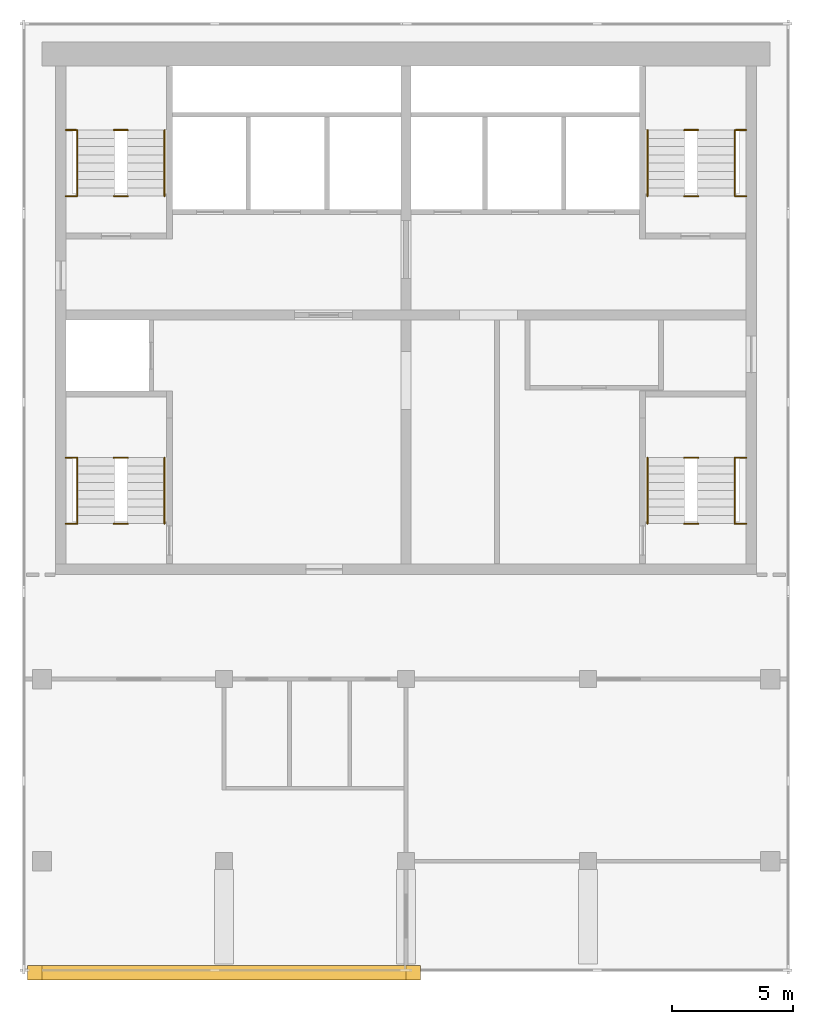
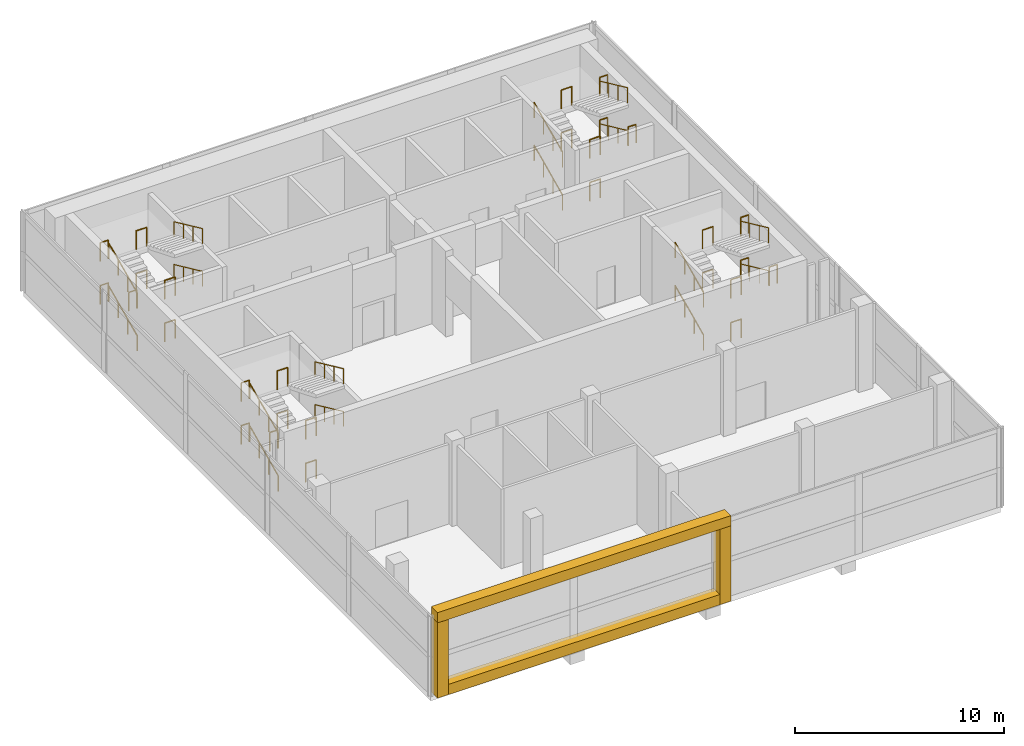
# One storey, part 6 of 6: 44 railings, 4 coverings.
"""IFC4 building model written with IfcOpenShell, lengths in metres."""

from ifc_helpers import new_model, si_unit, direction, frame, origin, origin_2d, place, context, subcontext, project, spatial, polyline, circle, outline, extrude, material, layer, layer_set, type_object, element, save


model = new_model("IFC4")

# Units and contexts
model_context = context("Model", 3, precision=1e-05, world=origin(), true_north=direction((0.0, 1.0)))
body_context = subcontext(model_context, "Body", "Model", "MODEL_VIEW")
ifc_project = project(units=[si_unit("LENGTHUNIT", "METRE"), si_unit("AREAUNIT", "SQUARE_METRE"), si_unit("VOLUMEUNIT", "CUBIC_METRE"), si_unit("PLANEANGLEUNIT", "RADIAN"), si_unit("MASSUNIT", "GRAM", prefix="KILO")], contexts=[model_context])

# Site, building, storey
site_placement = place(None, origin())
site = spatial("IfcSite", under=ifc_project, at=site_placement, CompositionType="ELEMENT")
building_placement = place(site_placement, origin())
building = spatial("IfcBuilding", under=site, at=building_placement, Name="Pilkhan Gate Tower", CompositionType="ELEMENT")
storey_placement = place(building_placement, frame((0.0, 0.0, 287.699951171875)))
storey = spatial("IfcBuildingStorey", under=building, at=storey_placement, Name="L75", CompositionType="ELEMENT", Elevation=287.699951171875)

# Coverings
ifc_material_1 = material(Name="Board-marked Concrete C40/50", Category="concrete")
ifc_layer = layer(ifc_material_1, 0.60009765625)
ifc_layer_set = layer_set([ifc_layer], Name="Lookout frame LF600")
covering_type = type_object("IfcCoveringType", Name="Lookout frame LF600", PredefinedType="CLADDING", material=ifc_layer_set)
covering_1_placement = place(storey_placement, origin())
element("IfcCovering", 1, at=covering_1_placement, inside=storey, type_object=covering_type, Name="Lookout frame", PredefinedType="CLADDING", context=body_context, shape_type="SweptSolid", body=[
    extrude(outline(polyline([(59.39990234375, 55.10009765625), (60.0, 55.10009765625), (60.0, 55.699951171875), (59.39990234375, 55.699951171875), (59.39990234375, 55.10009765625)])), origin(), (0.0, 0.0, 1.0), 4.400146484375),
])
covering_2_placement = place(storey_placement, origin())
element("IfcCovering", 2, at=covering_2_placement, inside=storey, type_object=covering_type, Name="Lookout frame", PredefinedType="CLADDING", context=body_context, shape_type="SweptSolid", body=[
    extrude(outline(polyline([(75.0, 55.10009765625), (75.60009765625, 55.10009765625), (75.60009765625, 55.699951171875), (75.0, 55.699951171875), (75.0, 55.10009765625)])), origin(), (0.0, 0.0, 1.0), 4.400146484375),
])
covering_3_placement = place(storey_placement, frame((0.0, 0.0, 4.400146484375)))
element("IfcCovering", 3, at=covering_3_placement, inside=storey, type_object=covering_type, Name="Lookout frame", PredefinedType="CLADDING", context=body_context, shape_type="SweptSolid", body=[
    extrude(outline(polyline([(59.39990234375, 55.10009765625), (75.60009765625, 55.10009765625), (75.60009765625, 55.699951171875), (59.39990234375, 55.699951171875), (59.39990234375, 55.10009765625)])), origin(), (0.0, 0.0, 1.0), 0.599853515625),
])
covering_4_placement = place(storey_placement, origin())
element("IfcCovering", 4, at=covering_4_placement, inside=storey, type_object=covering_type, Name="Lookout frame", PredefinedType="CLADDING", context=body_context, shape_type="SweptSolid", body=[
    extrude(outline(polyline([(60.0, 55.10009765625), (75.0, 55.10009765625), (75.0, 55.699951171875), (60.0, 55.699951171875), (60.0, 55.10009765625)])), origin(), (0.0, 0.0, 1.0), 0.60009765625),
])

# Railings
ifc_material_2 = material(Name="Black powder-coated steel tube", Category="steel")
railing_type_1 = type_object("IfcRailingType", Name="Stair handrail HR1", PredefinedType="HANDRAIL", material=ifc_material_2)
railing_1_placement = place(storey_placement, frame((84.949951171875, 73.89990234375, 0.0)))
element("IfcRailing", 5, at=railing_1_placement, inside=storey, type_object=railing_type_1, Name="Stair ST1 handrail L75", PredefinedType="HANDRAIL", context=body_context, shape_type="SweptSolid", body=[
    extrude(circle(Radius=0.02392578125, at=origin_2d()), frame((0.0, 0.0, 0.8759765625), z_axis=(0.0, 0.908655102025, 0.417547488994), x_axis=(-1.0, 0.0, 0.0)), (0.0, 0.0, 1.0), 2.99365234375),
    extrude(circle(Radius=0.02099609375, at=origin_2d()), origin(), (0.0, 0.0, 1.0), 0.851806640625),
    extrude(circle(Radius=0.02099609375, at=origin_2d()), frame((0.0, 0.90673828125, 0.416748046875)), (0.0, 0.0, 1.0), 0.851806640625),
    extrude(circle(Radius=0.02099609375, at=origin_2d()), frame((0.0, 1.8134765625, 0.833251953125)), (0.0, 0.0, 1.0), 0.851806640625),
    extrude(circle(Radius=0.02099609375, at=origin_2d()), frame((0.0, 2.72021484375, 1.25)), (0.0, 0.0, 1.0), 0.851806640625),
])
railing_2_placement = place(storey_placement, frame((88.550048828125, 76.6201171875, 1.25)))
element("IfcRailing", 6, at=railing_2_placement, inside=storey, type_object=railing_type_1, Name="Stair ST1 handrail L75", PredefinedType="HANDRAIL", context=body_context, shape_type="SweptSolid", body=[
    extrude(circle(Radius=0.02392578125, at=origin_2d()), frame((0.0, 0.0, 0.8759765625), z_axis=(0.0, -0.908655102025, 0.417547488994), x_axis=(1.0, 0.0, 0.0)), (0.0, 0.0, 1.0), 2.99365234375),
    extrude(circle(Radius=0.02099609375, at=origin_2d()), origin(), (0.0, 0.0, 1.0), 0.851806640625),
    extrude(circle(Radius=0.02099609375, at=origin_2d()), frame((0.0, -0.90673828125, 0.416748046875)), (0.0, 0.0, 1.0), 0.851806640625),
    extrude(circle(Radius=0.02099609375, at=origin_2d()), frame((0.0, -1.8134765625, 0.833251953125)), (0.0, 0.0, 1.0), 0.851806640625),
    extrude(circle(Radius=0.02099609375, at=origin_2d()), frame((0.0, -2.72021484375, 1.25)), (0.0, 0.0, 1.0), 0.851806640625),
])
railing_3_placement = place(storey_placement, frame((84.949951171875, 73.89990234375, 2.5)))
element("IfcRailing", 7, at=railing_3_placement, inside=storey, type_object=railing_type_1, Name="Stair ST1 handrail L75", PredefinedType="HANDRAIL", context=body_context, shape_type="SweptSolid", body=[
    extrude(circle(Radius=0.02392578125, at=origin_2d()), frame((0.0, 0.0, 0.8759765625), z_axis=(0.0, 0.908655102025, 0.417547488994), x_axis=(-1.0, 0.0, 0.0)), (0.0, 0.0, 1.0), 2.99365234375),
    extrude(circle(Radius=0.02099609375, at=origin_2d()), origin(), (0.0, 0.0, 1.0), 0.851806640625),
    extrude(circle(Radius=0.02099609375, at=origin_2d()), frame((0.0, 0.90673828125, 0.416748046875)), (0.0, 0.0, 1.0), 0.851806640625),
    extrude(circle(Radius=0.02099609375, at=origin_2d()), frame((0.0, 1.8134765625, 0.833251953125)), (0.0, 0.0, 1.0), 0.851806640625),
    extrude(circle(Radius=0.02099609375, at=origin_2d()), frame((0.0, 2.72021484375, 1.25)), (0.0, 0.0, 1.0), 0.851806640625),
])
railing_4_placement = place(storey_placement, frame((88.550048828125, 76.6201171875, 3.75)))
element("IfcRailing", 8, at=railing_4_placement, inside=storey, type_object=railing_type_1, Name="Stair ST1 handrail L75", PredefinedType="HANDRAIL", context=body_context, shape_type="SweptSolid", body=[
    extrude(circle(Radius=0.02392578125, at=origin_2d()), frame((0.0, 0.0, 0.8759765625), z_axis=(0.0, -0.908655102025, 0.417547488994), x_axis=(1.0, 0.0, 0.0)), (0.0, 0.0, 1.0), 2.99365234375),
    extrude(circle(Radius=0.02099609375, at=origin_2d()), origin(), (0.0, 0.0, 1.0), 0.851806640625),
    extrude(circle(Radius=0.02099609375, at=origin_2d()), frame((0.0, -0.90673828125, 0.416748046875)), (0.0, 0.0, 1.0), 0.851806640625),
    extrude(circle(Radius=0.02099609375, at=origin_2d()), frame((0.0, -1.8134765625, 0.833251953125)), (0.0, 0.0, 1.0), 0.851806640625),
    extrude(circle(Radius=0.02099609375, at=origin_2d()), frame((0.0, -2.72021484375, 1.25)), (0.0, 0.0, 1.0), 0.851806640625),
])
railing_5_placement = place(storey_placement, frame((61.449951171875, 73.89990234375, 0.0)))
element("IfcRailing", 9, at=railing_5_placement, inside=storey, type_object=railing_type_1, Name="Stair ST2 handrail L75", PredefinedType="HANDRAIL", context=body_context, shape_type="SweptSolid", body=[
    extrude(circle(Radius=0.02392578125, at=origin_2d()), frame((0.0, 0.0, 0.8759765625), z_axis=(0.0, 0.908655102025, 0.417547488994), x_axis=(-1.0, 0.0, 0.0)), (0.0, 0.0, 1.0), 2.99365234375),
    extrude(circle(Radius=0.02099609375, at=origin_2d()), origin(), (0.0, 0.0, 1.0), 0.851806640625),
    extrude(circle(Radius=0.02099609375, at=origin_2d()), frame((0.0, 0.90673828125, 0.416748046875)), (0.0, 0.0, 1.0), 0.851806640625),
    extrude(circle(Radius=0.02099609375, at=origin_2d()), frame((0.0, 1.8134765625, 0.833251953125)), (0.0, 0.0, 1.0), 0.851806640625),
    extrude(circle(Radius=0.02099609375, at=origin_2d()), frame((0.0, 2.72021484375, 1.25)), (0.0, 0.0, 1.0), 0.851806640625),
])
railing_6_placement = place(storey_placement, frame((65.050048828125, 76.6201171875, 1.25)))
element("IfcRailing", 10, at=railing_6_placement, inside=storey, type_object=railing_type_1, Name="Stair ST2 handrail L75", PredefinedType="HANDRAIL", context=body_context, shape_type="SweptSolid", body=[
    extrude(circle(Radius=0.02392578125, at=origin_2d()), frame((0.0, 0.0, 0.8759765625), z_axis=(0.0, -0.908655102025, 0.417547488994), x_axis=(1.0, 0.0, 0.0)), (0.0, 0.0, 1.0), 2.99365234375),
    extrude(circle(Radius=0.02099609375, at=origin_2d()), origin(), (0.0, 0.0, 1.0), 0.851806640625),
    extrude(circle(Radius=0.02099609375, at=origin_2d()), frame((0.0, -0.90673828125, 0.416748046875)), (0.0, 0.0, 1.0), 0.851806640625),
    extrude(circle(Radius=0.02099609375, at=origin_2d()), frame((0.0, -1.8134765625, 0.833251953125)), (0.0, 0.0, 1.0), 0.851806640625),
    extrude(circle(Radius=0.02099609375, at=origin_2d()), frame((0.0, -2.72021484375, 1.25)), (0.0, 0.0, 1.0), 0.851806640625),
])
railing_7_placement = place(storey_placement, frame((61.449951171875, 73.89990234375, 2.5)))
element("IfcRailing", 11, at=railing_7_placement, inside=storey, type_object=railing_type_1, Name="Stair ST2 handrail L75", PredefinedType="HANDRAIL", context=body_context, shape_type="SweptSolid", body=[
    extrude(circle(Radius=0.02392578125, at=origin_2d()), frame((0.0, 0.0, 0.8759765625), z_axis=(0.0, 0.908655102025, 0.417547488994), x_axis=(-1.0, 0.0, 0.0)), (0.0, 0.0, 1.0), 2.99365234375),
    extrude(circle(Radius=0.02099609375, at=origin_2d()), origin(), (0.0, 0.0, 1.0), 0.851806640625),
    extrude(circle(Radius=0.02099609375, at=origin_2d()), frame((0.0, 0.90673828125, 0.416748046875)), (0.0, 0.0, 1.0), 0.851806640625),
    extrude(circle(Radius=0.02099609375, at=origin_2d()), frame((0.0, 1.8134765625, 0.833251953125)), (0.0, 0.0, 1.0), 0.851806640625),
    extrude(circle(Radius=0.02099609375, at=origin_2d()), frame((0.0, 2.72021484375, 1.25)), (0.0, 0.0, 1.0), 0.851806640625),
])
railing_8_placement = place(storey_placement, frame((65.050048828125, 76.6201171875, 3.75)))
element("IfcRailing", 12, at=railing_8_placement, inside=storey, type_object=railing_type_1, Name="Stair ST2 handrail L75", PredefinedType="HANDRAIL", context=body_context, shape_type="SweptSolid", body=[
    extrude(circle(Radius=0.02392578125, at=origin_2d()), frame((0.0, 0.0, 0.8759765625), z_axis=(0.0, -0.908655102025, 0.417547488994), x_axis=(1.0, 0.0, 0.0)), (0.0, 0.0, 1.0), 2.99365234375),
    extrude(circle(Radius=0.02099609375, at=origin_2d()), origin(), (0.0, 0.0, 1.0), 0.851806640625),
    extrude(circle(Radius=0.02099609375, at=origin_2d()), frame((0.0, -0.90673828125, 0.416748046875)), (0.0, 0.0, 1.0), 0.851806640625),
    extrude(circle(Radius=0.02099609375, at=origin_2d()), frame((0.0, -1.8134765625, 0.833251953125)), (0.0, 0.0, 1.0), 0.851806640625),
    extrude(circle(Radius=0.02099609375, at=origin_2d()), frame((0.0, -2.72021484375, 1.25)), (0.0, 0.0, 1.0), 0.851806640625),
])
railing_9_placement = place(storey_placement, frame((61.449951171875, 87.39990234375, 0.0)))
element("IfcRailing", 13, at=railing_9_placement, inside=storey, type_object=railing_type_1, Name="Stair ST3 handrail L75", PredefinedType="HANDRAIL", context=body_context, shape_type="SweptSolid", body=[
    extrude(circle(Radius=0.02392578125, at=origin_2d()), frame((0.0, 0.0, 0.8759765625), z_axis=(0.0, 0.908655102025, 0.417547488994), x_axis=(-1.0, 0.0, 0.0)), (0.0, 0.0, 1.0), 2.99365234375),
    extrude(circle(Radius=0.02099609375, at=origin_2d()), origin(), (0.0, 0.0, 1.0), 0.851806640625),
    extrude(circle(Radius=0.02099609375, at=origin_2d()), frame((0.0, 0.90673828125, 0.416748046875)), (0.0, 0.0, 1.0), 0.851806640625),
    extrude(circle(Radius=0.02099609375, at=origin_2d()), frame((0.0, 1.8134765625, 0.833251953125)), (0.0, 0.0, 1.0), 0.851806640625),
    extrude(circle(Radius=0.02099609375, at=origin_2d()), frame((0.0, 2.72021484375, 1.25)), (0.0, 0.0, 1.0), 0.851806640625),
])
railing_10_placement = place(storey_placement, frame((65.050048828125, 90.1201171875, 1.25)))
element("IfcRailing", 14, at=railing_10_placement, inside=storey, type_object=railing_type_1, Name="Stair ST3 handrail L75", PredefinedType="HANDRAIL", context=body_context, shape_type="SweptSolid", body=[
    extrude(circle(Radius=0.02392578125, at=origin_2d()), frame((0.0, 0.0, 0.8759765625), z_axis=(0.0, -0.908655102025, 0.417547488994), x_axis=(1.0, 0.0, 0.0)), (0.0, 0.0, 1.0), 2.99365234375),
    extrude(circle(Radius=0.02099609375, at=origin_2d()), origin(), (0.0, 0.0, 1.0), 0.851806640625),
    extrude(circle(Radius=0.02099609375, at=origin_2d()), frame((0.0, -0.90673828125, 0.416748046875)), (0.0, 0.0, 1.0), 0.851806640625),
    extrude(circle(Radius=0.02099609375, at=origin_2d()), frame((0.0, -1.8134765625, 0.833251953125)), (0.0, 0.0, 1.0), 0.851806640625),
    extrude(circle(Radius=0.02099609375, at=origin_2d()), frame((0.0, -2.72021484375, 1.25)), (0.0, 0.0, 1.0), 0.851806640625),
])
railing_11_placement = place(storey_placement, frame((61.449951171875, 87.39990234375, 2.5)))
element("IfcRailing", 15, at=railing_11_placement, inside=storey, type_object=railing_type_1, Name="Stair ST3 handrail L75", PredefinedType="HANDRAIL", context=body_context, shape_type="SweptSolid", body=[
    extrude(circle(Radius=0.02392578125, at=origin_2d()), frame((0.0, 0.0, 0.8759765625), z_axis=(0.0, 0.908655102025, 0.417547488994), x_axis=(-1.0, 0.0, 0.0)), (0.0, 0.0, 1.0), 2.99365234375),
    extrude(circle(Radius=0.02099609375, at=origin_2d()), origin(), (0.0, 0.0, 1.0), 0.851806640625),
    extrude(circle(Radius=0.02099609375, at=origin_2d()), frame((0.0, 0.90673828125, 0.416748046875)), (0.0, 0.0, 1.0), 0.851806640625),
    extrude(circle(Radius=0.02099609375, at=origin_2d()), frame((0.0, 1.8134765625, 0.833251953125)), (0.0, 0.0, 1.0), 0.851806640625),
    extrude(circle(Radius=0.02099609375, at=origin_2d()), frame((0.0, 2.72021484375, 1.25)), (0.0, 0.0, 1.0), 0.851806640625),
])
railing_12_placement = place(storey_placement, frame((65.050048828125, 90.1201171875, 3.75)))
element("IfcRailing", 16, at=railing_12_placement, inside=storey, type_object=railing_type_1, Name="Stair ST3 handrail L75", PredefinedType="HANDRAIL", context=body_context, shape_type="SweptSolid", body=[
    extrude(circle(Radius=0.02392578125, at=origin_2d()), frame((0.0, 0.0, 0.8759765625), z_axis=(0.0, -0.908655102025, 0.417547488994), x_axis=(1.0, 0.0, 0.0)), (0.0, 0.0, 1.0), 2.99365234375),
    extrude(circle(Radius=0.02099609375, at=origin_2d()), origin(), (0.0, 0.0, 1.0), 0.851806640625),
    extrude(circle(Radius=0.02099609375, at=origin_2d()), frame((0.0, -0.90673828125, 0.416748046875)), (0.0, 0.0, 1.0), 0.851806640625),
    extrude(circle(Radius=0.02099609375, at=origin_2d()), frame((0.0, -1.8134765625, 0.833251953125)), (0.0, 0.0, 1.0), 0.851806640625),
    extrude(circle(Radius=0.02099609375, at=origin_2d()), frame((0.0, -2.72021484375, 1.25)), (0.0, 0.0, 1.0), 0.851806640625),
])
railing_13_placement = place(storey_placement, frame((84.949951171875, 87.39990234375, 0.0)))
element("IfcRailing", 17, at=railing_13_placement, inside=storey, type_object=railing_type_1, Name="Stair ST4 handrail L75", PredefinedType="HANDRAIL", context=body_context, shape_type="SweptSolid", body=[
    extrude(circle(Radius=0.02392578125, at=origin_2d()), frame((0.0, 0.0, 0.8759765625), z_axis=(0.0, 0.908655102025, 0.417547488994), x_axis=(-1.0, 0.0, 0.0)), (0.0, 0.0, 1.0), 2.99365234375),
    extrude(circle(Radius=0.02099609375, at=origin_2d()), origin(), (0.0, 0.0, 1.0), 0.851806640625),
    extrude(circle(Radius=0.02099609375, at=origin_2d()), frame((0.0, 0.90673828125, 0.416748046875)), (0.0, 0.0, 1.0), 0.851806640625),
    extrude(circle(Radius=0.02099609375, at=origin_2d()), frame((0.0, 1.8134765625, 0.833251953125)), (0.0, 0.0, 1.0), 0.851806640625),
    extrude(circle(Radius=0.02099609375, at=origin_2d()), frame((0.0, 2.72021484375, 1.25)), (0.0, 0.0, 1.0), 0.851806640625),
])
railing_14_placement = place(storey_placement, frame((88.550048828125, 90.1201171875, 1.25)))
element("IfcRailing", 18, at=railing_14_placement, inside=storey, type_object=railing_type_1, Name="Stair ST4 handrail L75", PredefinedType="HANDRAIL", context=body_context, shape_type="SweptSolid", body=[
    extrude(circle(Radius=0.02392578125, at=origin_2d()), frame((0.0, 0.0, 0.8759765625), z_axis=(0.0, -0.908655102025, 0.417547488994), x_axis=(1.0, 0.0, 0.0)), (0.0, 0.0, 1.0), 2.99365234375),
    extrude(circle(Radius=0.02099609375, at=origin_2d()), origin(), (0.0, 0.0, 1.0), 0.851806640625),
    extrude(circle(Radius=0.02099609375, at=origin_2d()), frame((0.0, -0.90673828125, 0.416748046875)), (0.0, 0.0, 1.0), 0.851806640625),
    extrude(circle(Radius=0.02099609375, at=origin_2d()), frame((0.0, -1.8134765625, 0.833251953125)), (0.0, 0.0, 1.0), 0.851806640625),
    extrude(circle(Radius=0.02099609375, at=origin_2d()), frame((0.0, -2.72021484375, 1.25)), (0.0, 0.0, 1.0), 0.851806640625),
])
railing_15_placement = place(storey_placement, frame((84.949951171875, 87.39990234375, 2.5)))
element("IfcRailing", 19, at=railing_15_placement, inside=storey, type_object=railing_type_1, Name="Stair ST4 handrail L75", PredefinedType="HANDRAIL", context=body_context, shape_type="SweptSolid", body=[
    extrude(circle(Radius=0.02392578125, at=origin_2d()), frame((0.0, 0.0, 0.8759765625), z_axis=(0.0, 0.908655102025, 0.417547488994), x_axis=(-1.0, 0.0, 0.0)), (0.0, 0.0, 1.0), 2.99365234375),
    extrude(circle(Radius=0.02099609375, at=origin_2d()), origin(), (0.0, 0.0, 1.0), 0.851806640625),
    extrude(circle(Radius=0.02099609375, at=origin_2d()), frame((0.0, 0.90673828125, 0.416748046875)), (0.0, 0.0, 1.0), 0.851806640625),
    extrude(circle(Radius=0.02099609375, at=origin_2d()), frame((0.0, 1.8134765625, 0.833251953125)), (0.0, 0.0, 1.0), 0.851806640625),
    extrude(circle(Radius=0.02099609375, at=origin_2d()), frame((0.0, 2.72021484375, 1.25)), (0.0, 0.0, 1.0), 0.851806640625),
])
railing_16_placement = place(storey_placement, frame((88.550048828125, 90.1201171875, 3.75)))
element("IfcRailing", 20, at=railing_16_placement, inside=storey, type_object=railing_type_1, Name="Stair ST4 handrail L75", PredefinedType="HANDRAIL", context=body_context, shape_type="SweptSolid", body=[
    extrude(circle(Radius=0.02392578125, at=origin_2d()), frame((0.0, 0.0, 0.8759765625), z_axis=(0.0, -0.908655102025, 0.417547488994), x_axis=(1.0, 0.0, 0.0)), (0.0, 0.0, 1.0), 2.99365234375),
    extrude(circle(Radius=0.02099609375, at=origin_2d()), origin(), (0.0, 0.0, 1.0), 0.851806640625),
    extrude(circle(Radius=0.02099609375, at=origin_2d()), frame((0.0, -0.90673828125, 0.416748046875)), (0.0, 0.0, 1.0), 0.851806640625),
    extrude(circle(Radius=0.02099609375, at=origin_2d()), frame((0.0, -1.8134765625, 0.833251953125)), (0.0, 0.0, 1.0), 0.851806640625),
    extrude(circle(Radius=0.02099609375, at=origin_2d()), frame((0.0, -2.72021484375, 1.25)), (0.0, 0.0, 1.0), 0.851806640625),
])
ifc_material_3 = material(Name="Black powder-coated steel balusters", Category="steel")
railing_type_2 = type_object("IfcRailingType", Name="Stair well guard G3", PredefinedType="GUARDRAIL", material=ifc_material_3)
for number, where, name in (
    (21, (88.580078125, 76.6201171875, 1.25), "Stair ST1 well guard L75"),
    (22, (88.580078125, 73.89990234375, 2.5), "Stair ST1 well guard L75"),
    (23, (88.580078125, 76.6201171875, 3.75), "Stair ST1 well guard L75"),
):
    element("IfcRailing", number, at=place(storey_placement, frame(where)), inside=storey, type_object=railing_type_2, Name=name, PredefinedType="GUARDRAIL", context=body_context, shape_type="SweptSolid", body=[
        extrude(circle(Radius=0.02392578125, at=origin_2d()), frame((0.0, 0.0, 1.076171875), z_axis=(1.0, 0.0, 0.0), x_axis=(0.0, 1.0, 0.0)), (0.0, 0.0, 1.0), 0.43994140625),
        extrude(circle(Radius=0.02099609375, at=origin_2d()), origin(), (0.0, 0.0, 1.0), 1.052001953125),
        extrude(circle(Radius=0.02099609375, at=origin_2d()), frame((0.43994140625, 0.0, 0.0)), (0.0, 0.0, 1.0), 1.052001953125),
    ])
for number, where, name in (
    (24, (86.4599609375, 73.89990234375, 0.0), "Stair ST1 well guard L75"),
    (25, (86.4599609375, 76.6201171875, 1.25), "Stair ST1 well guard L75"),
    (26, (86.4599609375, 73.89990234375, 2.5), "Stair ST1 well guard L75"),
    (27, (86.4599609375, 76.6201171875, 3.75), "Stair ST1 well guard L75"),
):
    element("IfcRailing", number, at=place(storey_placement, frame(where)), inside=storey, type_object=railing_type_2, Name=name, PredefinedType="GUARDRAIL", context=body_context, shape_type="SweptSolid", body=[
        extrude(circle(Radius=0.02392578125, at=origin_2d()), frame((0.0, 0.0, 1.076171875), z_axis=(1.0, 0.0, 0.0), x_axis=(0.0, 1.0, 0.0)), (0.0, 0.0, 1.0), 0.580078125),
        extrude(circle(Radius=0.02099609375, at=origin_2d()), origin(), (0.0, 0.0, 1.0), 1.052001953125),
        extrude(circle(Radius=0.02099609375, at=origin_2d()), frame((0.580078125, 0.0, 0.0)), (0.0, 0.0, 1.0), 1.052001953125),
    ])
for number, where, name in (
    (28, (60.97998046875, 76.6201171875, 1.25), "Stair ST2 well guard L75"),
    (29, (60.97998046875, 73.89990234375, 2.5), "Stair ST2 well guard L75"),
    (30, (60.97998046875, 76.6201171875, 3.75), "Stair ST2 well guard L75"),
):
    element("IfcRailing", number, at=place(storey_placement, frame(where)), inside=storey, type_object=railing_type_2, Name=name, PredefinedType="GUARDRAIL", context=body_context, shape_type="SweptSolid", body=[
        extrude(circle(Radius=0.02392578125, at=origin_2d()), frame((0.0, 0.0, 1.076171875), z_axis=(1.0, 0.0, 0.0), x_axis=(0.0, 1.0, 0.0)), (0.0, 0.0, 1.0), 0.43994140625),
        extrude(circle(Radius=0.02099609375, at=origin_2d()), origin(), (0.0, 0.0, 1.0), 1.052001953125),
        extrude(circle(Radius=0.02099609375, at=origin_2d()), frame((0.43994140625, 0.0, 0.0)), (0.0, 0.0, 1.0), 1.052001953125),
    ])
for number, where, name in (
    (31, (62.9599609375, 73.89990234375, 0.0), "Stair ST2 well guard L75"),
    (32, (62.9599609375, 76.6201171875, 1.25), "Stair ST2 well guard L75"),
    (33, (62.9599609375, 73.89990234375, 2.5), "Stair ST2 well guard L75"),
    (34, (62.9599609375, 76.6201171875, 3.75), "Stair ST2 well guard L75"),
):
    element("IfcRailing", number, at=place(storey_placement, frame(where)), inside=storey, type_object=railing_type_2, Name=name, PredefinedType="GUARDRAIL", context=body_context, shape_type="SweptSolid", body=[
        extrude(circle(Radius=0.02392578125, at=origin_2d()), frame((0.0, 0.0, 1.076171875), z_axis=(1.0, 0.0, 0.0), x_axis=(0.0, 1.0, 0.0)), (0.0, 0.0, 1.0), 0.580078125),
        extrude(circle(Radius=0.02099609375, at=origin_2d()), origin(), (0.0, 0.0, 1.0), 1.052001953125),
        extrude(circle(Radius=0.02099609375, at=origin_2d()), frame((0.580078125, 0.0, 0.0)), (0.0, 0.0, 1.0), 1.052001953125),
    ])
for number, where, name in (
    (35, (60.97998046875, 90.1201171875, 1.25), "Stair ST3 well guard L75"),
    (36, (60.97998046875, 87.39990234375, 2.5), "Stair ST3 well guard L75"),
    (37, (60.97998046875, 90.1201171875, 3.75), "Stair ST3 well guard L75"),
):
    element("IfcRailing", number, at=place(storey_placement, frame(where)), inside=storey, type_object=railing_type_2, Name=name, PredefinedType="GUARDRAIL", context=body_context, shape_type="SweptSolid", body=[
        extrude(circle(Radius=0.02392578125, at=origin_2d()), frame((0.0, 0.0, 1.076171875), z_axis=(1.0, 0.0, 0.0), x_axis=(0.0, 1.0, 0.0)), (0.0, 0.0, 1.0), 0.43994140625),
        extrude(circle(Radius=0.02099609375, at=origin_2d()), origin(), (0.0, 0.0, 1.0), 1.052001953125),
        extrude(circle(Radius=0.02099609375, at=origin_2d()), frame((0.43994140625, 0.0, 0.0)), (0.0, 0.0, 1.0), 1.052001953125),
    ])
for number, where, name in (
    (38, (62.9599609375, 87.39990234375, 0.0), "Stair ST3 well guard L75"),
    (39, (62.9599609375, 90.1201171875, 1.25), "Stair ST3 well guard L75"),
    (40, (62.9599609375, 87.39990234375, 2.5), "Stair ST3 well guard L75"),
    (41, (62.9599609375, 90.1201171875, 3.75), "Stair ST3 well guard L75"),
):
    element("IfcRailing", number, at=place(storey_placement, frame(where)), inside=storey, type_object=railing_type_2, Name=name, PredefinedType="GUARDRAIL", context=body_context, shape_type="SweptSolid", body=[
        extrude(circle(Radius=0.02392578125, at=origin_2d()), frame((0.0, 0.0, 1.076171875), z_axis=(1.0, 0.0, 0.0), x_axis=(0.0, 1.0, 0.0)), (0.0, 0.0, 1.0), 0.580078125),
        extrude(circle(Radius=0.02099609375, at=origin_2d()), origin(), (0.0, 0.0, 1.0), 1.052001953125),
        extrude(circle(Radius=0.02099609375, at=origin_2d()), frame((0.580078125, 0.0, 0.0)), (0.0, 0.0, 1.0), 1.052001953125),
    ])
for number, where, name in (
    (42, (88.580078125, 90.1201171875, 1.25), "Stair ST4 well guard L75"),
    (43, (88.580078125, 87.39990234375, 2.5), "Stair ST4 well guard L75"),
    (44, (88.580078125, 90.1201171875, 3.75), "Stair ST4 well guard L75"),
):
    element("IfcRailing", number, at=place(storey_placement, frame(where)), inside=storey, type_object=railing_type_2, Name=name, PredefinedType="GUARDRAIL", context=body_context, shape_type="SweptSolid", body=[
        extrude(circle(Radius=0.02392578125, at=origin_2d()), frame((0.0, 0.0, 1.076171875), z_axis=(1.0, 0.0, 0.0), x_axis=(0.0, 1.0, 0.0)), (0.0, 0.0, 1.0), 0.43994140625),
        extrude(circle(Radius=0.02099609375, at=origin_2d()), origin(), (0.0, 0.0, 1.0), 1.052001953125),
        extrude(circle(Radius=0.02099609375, at=origin_2d()), frame((0.43994140625, 0.0, 0.0)), (0.0, 0.0, 1.0), 1.052001953125),
    ])
for number, where, name in (
    (45, (86.4599609375, 87.39990234375, 0.0), "Stair ST4 well guard L75"),
    (46, (86.4599609375, 90.1201171875, 1.25), "Stair ST4 well guard L75"),
    (47, (86.4599609375, 87.39990234375, 2.5), "Stair ST4 well guard L75"),
    (48, (86.4599609375, 90.1201171875, 3.75), "Stair ST4 well guard L75"),
):
    element("IfcRailing", number, at=place(storey_placement, frame(where)), inside=storey, type_object=railing_type_2, Name=name, PredefinedType="GUARDRAIL", context=body_context, shape_type="SweptSolid", body=[
        extrude(circle(Radius=0.02392578125, at=origin_2d()), frame((0.0, 0.0, 1.076171875), z_axis=(1.0, 0.0, 0.0), x_axis=(0.0, 1.0, 0.0)), (0.0, 0.0, 1.0), 0.580078125),
        extrude(circle(Radius=0.02099609375, at=origin_2d()), origin(), (0.0, 0.0, 1.0), 1.052001953125),
        extrude(circle(Radius=0.02099609375, at=origin_2d()), frame((0.580078125, 0.0, 0.0)), (0.0, 0.0, 1.0), 1.052001953125),
    ])

save(model, "model.ifc")
